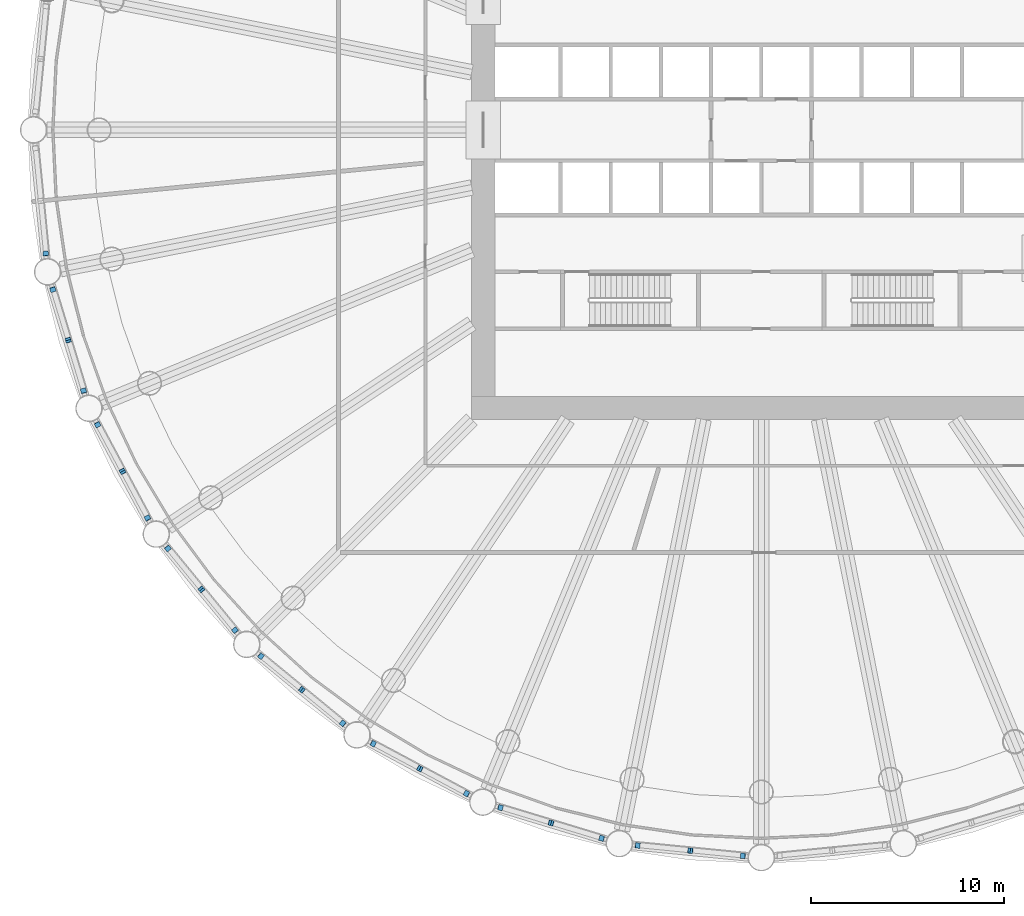
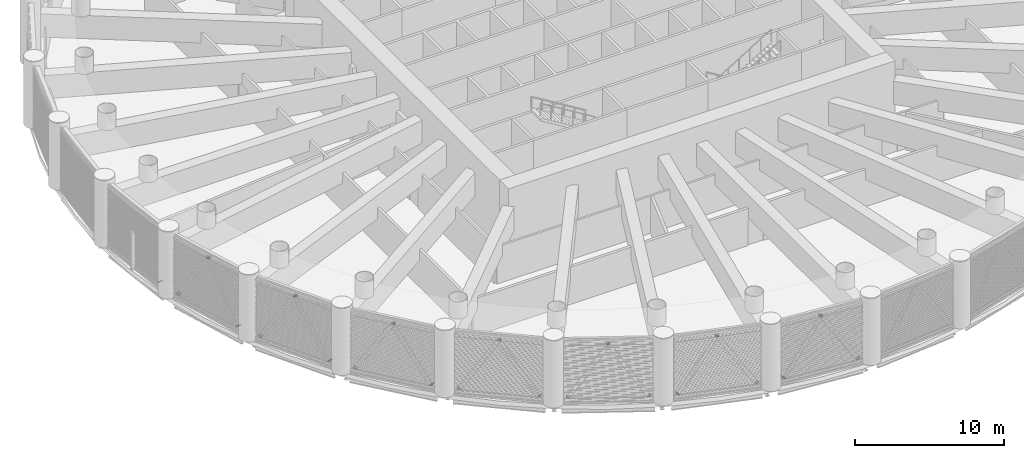
# One storey, part 12 of 26: 29 discrete accessories.
"""IFC4 building model written with IfcOpenShell, lengths in metres."""

from ifc_helpers import new_model, si_unit, direction, frame, origin, origin_2d, place, context, subcontext, project, spatial, rectangle, extrude, material, material_profile, profile_set, type_object, element, save


model = new_model("IFC4")

# Units and contexts
model_context = context("Model", 3, precision=1e-05, world=origin(), true_north=direction((0.0, 1.0)))
body_context = subcontext(model_context, "Body", "Model", "MODEL_VIEW")
ifc_project = project(units=[si_unit("LENGTHUNIT", "METRE"), si_unit("AREAUNIT", "SQUARE_METRE"), si_unit("VOLUMEUNIT", "CUBIC_METRE"), si_unit("PLANEANGLEUNIT", "RADIAN"), si_unit("MASSUNIT", "GRAM", prefix="KILO")], contexts=[model_context])

# Site, building, storey
site_placement = place(None, origin())
site = spatial("IfcSite", under=ifc_project, at=site_placement, CompositionType="ELEMENT")
building_placement = place(site_placement, origin())
building = spatial("IfcBuilding", under=site, at=building_placement, Name="Corvane Civic Tower", CompositionType="ELEMENT")
storey_placement = place(building_placement, frame((0.0, 0.0, 85.0)))
storey = spatial("IfcBuildingStorey", under=building, at=storey_placement, Name="L19", CompositionType="ELEMENT", Elevation=85.0)

# Discrete accessories
ifc_material = material(Name="Steel ASTM A572 Gr 50", Category="steel")
ifc_material_profile = material_profile(ifc_material, rectangle(XDim=0.2802734375, YDim=0.2802734375, at=origin_2d()), Name="GUSSET PLATE 25 IN HSS12X12X1/2")
ifc_profile_set = profile_set([ifc_material_profile], Name="Steel ASTM A572 Gr 50")
discrete_accessory_type = type_object("IfcDiscreteAccessoryType", Name="GUSSET PLATE 25 IN HSS12X12X1/2", PredefinedType="BRACKET", material=ifc_profile_set)
discrete_accessory_1_placement = place(storey_placement, frame((-0.9453125, -37.60693359375, 0.406494140625), z_axis=(-0.537847476703, 0.058674270186, 0.840997872662), x_axis=(-0.108447510175, -0.994102176608, 0.0)))
element("IfcDiscreteAccessory", 1, at=discrete_accessory_1_placement, inside=storey, type_object=discrete_accessory_type, Name="Gusset plate BD1 end A", PredefinedType="BRACKET", context=body_context, shape_type="SweptSolid", body=[
    extrude(rectangle(XDim=0.2802734375, YDim=0.2802734375, at=origin_2d()), origin(), (0.0, 0.0, 1.0), 0.02490234375),
])
discrete_accessory_2_placement = place(storey_placement, frame((-3.677490234375, -37.337890625, 4.74365234375), z_axis=(0.533729096341, -0.04852082694, -0.844262388758), x_axis=(0.090535746043, 0.995893206468, 0.0)))
element("IfcDiscreteAccessory", 2, at=discrete_accessory_2_placement, inside=storey, type_object=discrete_accessory_type, Name="Gusset plate BD1 end B", PredefinedType="BRACKET", context=body_context, shape_type="SweptSolid", body=[
    extrude(rectangle(XDim=0.2802734375, YDim=0.2802734375, at=origin_2d()), origin(), (0.0, 0.0, 1.0), 0.025146484375),
])
discrete_accessory_3_placement = place(storey_placement, frame((-6.40966796875, -37.068603515625, 0.406494140625), z_axis=(0.537847476703, -0.058674270186, 0.840997872662), x_axis=(0.108447510175, 0.994102176608, 0.0)))
element("IfcDiscreteAccessory", 3, at=discrete_accessory_3_placement, inside=storey, type_object=discrete_accessory_type, Name="Gusset plate BD1 end A", PredefinedType="BRACKET", context=body_context, shape_type="SweptSolid", body=[
    extrude(rectangle(XDim=0.2802734375, YDim=0.2802734375, at=origin_2d()), origin(), (0.0, 0.0, 1.0), 0.02490234375),
])
discrete_accessory_4_placement = place(storey_placement, frame((-3.677490234375, -37.337890625, 4.74365234375), z_axis=(-0.533452871521, 0.058194858711, -0.843825451314), x_axis=(-0.108447510175, -0.994102176608, 0.0)))
element("IfcDiscreteAccessory", 4, at=discrete_accessory_4_placement, inside=storey, type_object=discrete_accessory_type, Name="Gusset plate BD1 end B", PredefinedType="BRACKET", context=body_context, shape_type="SweptSolid", body=[
    extrude(rectangle(XDim=0.2802734375, YDim=0.2802734375, at=origin_2d()), origin(), (0.0, 0.0, 1.0), 0.025146484375),
])
discrete_accessory_5_placement = place(storey_placement, frame((-8.26416015625, -36.699951171875, 0.406494140625), z_axis=(-0.510984024818, 0.15722585379, 0.845088964122), x_axis=(-0.294085848838, -0.955779008722, 0.0)))
element("IfcDiscreteAccessory", 5, at=discrete_accessory_5_placement, inside=storey, type_object=discrete_accessory_type, Name="Gusset plate BD1 end A", PredefinedType="BRACKET", context=body_context, shape_type="SweptSolid", body=[
    extrude(rectangle(XDim=0.2802734375, YDim=0.2802734375, at=origin_2d()), origin(), (0.0, 0.0, 1.0), 0.02490234375),
])
discrete_accessory_6_placement = place(storey_placement, frame((-10.89111328125, -35.90283203125, 4.74365234375), z_axis=(0.50676869704, -0.155928829858, -0.847863012355), x_axis=(0.294085848838, 0.955779008722, 0.0)))
element("IfcDiscreteAccessory", 6, at=discrete_accessory_6_placement, inside=storey, type_object=discrete_accessory_type, Name="Gusset plate BD1 end B", PredefinedType="BRACKET", context=body_context, shape_type="SweptSolid", body=[
    extrude(rectangle(XDim=0.2802734375, YDim=0.2802734375, at=origin_2d()), origin(), (0.0, 0.0, 1.0), 0.025146484375),
])
for number, where, z_axis, x_axis, name in (
    (7, (-13.51806640625, -35.106201171875, 0.406494140625), (0.511750544557, -0.147620349392, 0.846356669845), (0.277160651302, 0.960823591181, 0.0), "Gusset plate BD1 end A"),
    (8, (-10.89111328125, -35.90283203125, 4.74365234375), (-0.507516375128, 0.146398954364, -0.84911393531), (-0.277160651302, -0.960823591181, 0.0), "Gusset plate BD1 end B"),
    (9, (-15.26513671875, -34.382568359375, 0.406494140625), (-0.471222756944, 0.255245660011, 0.844274106191), (-0.476283148541, -0.879291966537, 0.0), "Gusset plate BD1 end A"),
):
    element("IfcDiscreteAccessory", number, at=place(storey_placement, frame(where, z_axis=z_axis, x_axis=x_axis)), inside=storey, type_object=discrete_accessory_type, Name=name, PredefinedType="BRACKET", context=body_context, shape_type="SweptSolid", body=[
        extrude(rectangle(XDim=0.2802734375, YDim=0.2802734375, at=origin_2d()), origin(), (0.0, 0.0, 1.0), 0.02490234375),
    ])
discrete_accessory_7_placement = place(storey_placement, frame((-17.686279296875, -33.08837890625, 4.74365234375), z_axis=(0.474900743063, -0.25198814938, -0.843191115234), x_axis=(0.468715806899, 0.883349020695, 0.0)))
element("IfcDiscreteAccessory", 10, at=discrete_accessory_7_placement, inside=storey, type_object=discrete_accessory_type, Name="Gusset plate BD1 end B", PredefinedType="BRACKET", context=body_context, shape_type="SweptSolid", body=[
    extrude(rectangle(XDim=0.2802734375, YDim=0.2802734375, at=origin_2d()), origin(), (0.0, 0.0, 1.0), 0.025146484375),
])
discrete_accessory_8_placement = place(storey_placement, frame((-20.107177734375, -31.794189453125, 0.406494140625), z_axis=(0.471222756944, -0.255245660011, 0.844274106191), x_axis=(0.476283148541, 0.879291966537, 0.0)))
element("IfcDiscreteAccessory", 11, at=discrete_accessory_8_placement, inside=storey, type_object=discrete_accessory_type, Name="Gusset plate BD1 end A", PredefinedType="BRACKET", context=body_context, shape_type="SweptSolid", body=[
    extrude(rectangle(XDim=0.2802734375, YDim=0.2802734375, at=origin_2d()), origin(), (0.0, 0.0, 1.0), 0.02490234375),
])
discrete_accessory_9_placement = place(storey_placement, frame((-17.686279296875, -33.08837890625, 4.74365234375), z_axis=(-0.467342837645, 0.253144037058, -0.847058893232), x_axis=(-0.476283148541, -0.879291966537, 0.0)))
element("IfcDiscreteAccessory", 12, at=discrete_accessory_9_placement, inside=storey, type_object=discrete_accessory_type, Name="Gusset plate BD1 end B", PredefinedType="BRACKET", context=body_context, shape_type="SweptSolid", body=[
    extrude(rectangle(XDim=0.2802734375, YDim=0.2802734375, at=origin_2d()), origin(), (0.0, 0.0, 1.0), 0.025146484375),
])
discrete_accessory_10_placement = place(storey_placement, frame((-21.679443359375, -30.74365234375, 0.406494140625), z_axis=(-0.413517243021, 0.334752053874, 0.846725783328), x_axis=(-0.629198228668, -0.777244870707, 0.0)))
element("IfcDiscreteAccessory", 13, at=discrete_accessory_10_placement, inside=storey, type_object=discrete_accessory_type, Name="Gusset plate BD1 end A", PredefinedType="BRACKET", context=body_context, shape_type="SweptSolid", body=[
    extrude(rectangle(XDim=0.2802734375, YDim=0.2802734375, at=origin_2d()), origin(), (0.0, 0.0, 1.0), 0.02490234375),
])
discrete_accessory_11_placement = place(storey_placement, frame((-23.801513671875, -29.002197265625, 4.74365234375), z_axis=(0.408750654966, -0.340625545805, -0.846697785287), x_axis=(0.640184399664, 0.768221279597, 0.0)))
element("IfcDiscreteAccessory", 14, at=discrete_accessory_11_placement, inside=storey, type_object=discrete_accessory_type, Name="Gusset plate BD1 end B", PredefinedType="BRACKET", context=body_context, shape_type="SweptSolid", body=[
    extrude(rectangle(XDim=0.2802734375, YDim=0.2802734375, at=origin_2d()), origin(), (0.0, 0.0, 1.0), 0.025146484375),
])
discrete_accessory_12_placement = place(storey_placement, frame((-25.923583984375, -27.2607421875, 0.406494140625), z_axis=(0.413517243021, -0.334752053874, 0.846725783328), x_axis=(0.629198228668, 0.777244870707, 0.0)))
element("IfcDiscreteAccessory", 15, at=discrete_accessory_12_placement, inside=storey, type_object=discrete_accessory_type, Name="Gusset plate BD1 end A", PredefinedType="BRACKET", context=body_context, shape_type="SweptSolid", body=[
    extrude(rectangle(XDim=0.2802734375, YDim=0.2802734375, at=origin_2d()), origin(), (0.0, 0.0, 1.0), 0.02490234375),
])
discrete_accessory_13_placement = place(storey_placement, frame((-23.801513671875, -29.002197265625, 4.74365234375), z_axis=(-0.408750654966, 0.340625545805, -0.846697785287), x_axis=(-0.640184399664, -0.768221279597, 0.0)))
element("IfcDiscreteAccessory", 16, at=discrete_accessory_13_placement, inside=storey, type_object=discrete_accessory_type, Name="Gusset plate BD1 end B", PredefinedType="BRACKET", context=body_context, shape_type="SweptSolid", body=[
    extrude(rectangle(XDim=0.2802734375, YDim=0.2802734375, at=origin_2d()), origin(), (0.0, 0.0, 1.0), 0.025146484375),
])
discrete_accessory_14_placement = place(storey_placement, frame((-27.2607421875, -25.923583984375, 0.406494140625), z_axis=(-0.334752053874, 0.413517243021, 0.846725783328), x_axis=(-0.777244870707, -0.629198228668, 0.0)))
element("IfcDiscreteAccessory", 17, at=discrete_accessory_14_placement, inside=storey, type_object=discrete_accessory_type, Name="Gusset plate BD1 end A", PredefinedType="BRACKET", context=body_context, shape_type="SweptSolid", body=[
    extrude(rectangle(XDim=0.2802734375, YDim=0.2802734375, at=origin_2d()), origin(), (0.0, 0.0, 1.0), 0.02490234375),
])
discrete_accessory_15_placement = place(storey_placement, frame((-29.002197265625, -23.801513671875, 4.74365234375), z_axis=(0.340625545805, -0.408750654966, -0.846697785287), x_axis=(0.768221279597, 0.640184399664, 0.0)))
element("IfcDiscreteAccessory", 18, at=discrete_accessory_15_placement, inside=storey, type_object=discrete_accessory_type, Name="Gusset plate BD1 end B", PredefinedType="BRACKET", context=body_context, shape_type="SweptSolid", body=[
    extrude(rectangle(XDim=0.2802734375, YDim=0.2802734375, at=origin_2d()), origin(), (0.0, 0.0, 1.0), 0.025146484375),
])
discrete_accessory_16_placement = place(storey_placement, frame((-30.74365234375, -21.679443359375, 0.406494140625), z_axis=(0.334752053874, -0.413517243021, 0.846725783328), x_axis=(0.777244870707, 0.629198228668, 0.0)))
element("IfcDiscreteAccessory", 19, at=discrete_accessory_16_placement, inside=storey, type_object=discrete_accessory_type, Name="Gusset plate BD1 end A", PredefinedType="BRACKET", context=body_context, shape_type="SweptSolid", body=[
    extrude(rectangle(XDim=0.2802734375, YDim=0.2802734375, at=origin_2d()), origin(), (0.0, 0.0, 1.0), 0.02490234375),
])
discrete_accessory_17_placement = place(storey_placement, frame((-29.002197265625, -23.801513671875, 4.74365234375), z_axis=(-0.340625545805, 0.408750654966, -0.846697785287), x_axis=(-0.768221279597, -0.640184399664, 0.0)))
element("IfcDiscreteAccessory", 20, at=discrete_accessory_17_placement, inside=storey, type_object=discrete_accessory_type, Name="Gusset plate BD1 end B", PredefinedType="BRACKET", context=body_context, shape_type="SweptSolid", body=[
    extrude(rectangle(XDim=0.2802734375, YDim=0.2802734375, at=origin_2d()), origin(), (0.0, 0.0, 1.0), 0.025146484375),
])
discrete_accessory_18_placement = place(storey_placement, frame((-31.794189453125, -20.107177734375, 0.406494140625), z_axis=(-0.255245660011, 0.471222756944, 0.844274106191), x_axis=(-0.879291966537, -0.476283148541, 0.0)))
element("IfcDiscreteAccessory", 21, at=discrete_accessory_18_placement, inside=storey, type_object=discrete_accessory_type, Name="Gusset plate BD1 end A", PredefinedType="BRACKET", context=body_context, shape_type="SweptSolid", body=[
    extrude(rectangle(XDim=0.2802734375, YDim=0.2802734375, at=origin_2d()), origin(), (0.0, 0.0, 1.0), 0.02490234375),
])
discrete_accessory_19_placement = place(storey_placement, frame((-33.08837890625, -17.686279296875, 4.74365234375), z_axis=(0.253144037058, -0.467342837645, -0.847058893232), x_axis=(0.879291966537, 0.476283148541, 0.0)))
element("IfcDiscreteAccessory", 22, at=discrete_accessory_19_placement, inside=storey, type_object=discrete_accessory_type, Name="Gusset plate BD1 end B", PredefinedType="BRACKET", context=body_context, shape_type="SweptSolid", body=[
    extrude(rectangle(XDim=0.2802734375, YDim=0.2802734375, at=origin_2d()), origin(), (0.0, 0.0, 1.0), 0.025146484375),
])
discrete_accessory_20_placement = place(storey_placement, frame((-34.382568359375, -15.26513671875, 0.406494140625), z_axis=(0.255245660011, -0.471222756944, 0.844274106191), x_axis=(0.879291966537, 0.476283148541, 0.0)))
element("IfcDiscreteAccessory", 23, at=discrete_accessory_20_placement, inside=storey, type_object=discrete_accessory_type, Name="Gusset plate BD1 end A", PredefinedType="BRACKET", context=body_context, shape_type="SweptSolid", body=[
    extrude(rectangle(XDim=0.2802734375, YDim=0.2802734375, at=origin_2d()), origin(), (0.0, 0.0, 1.0), 0.02490234375),
])
discrete_accessory_21_placement = place(storey_placement, frame((-33.08837890625, -17.686279296875, 4.74365234375), z_axis=(-0.25198814938, 0.474900743063, -0.843191115234), x_axis=(-0.883349020695, -0.468715806899, 0.0)))
element("IfcDiscreteAccessory", 24, at=discrete_accessory_21_placement, inside=storey, type_object=discrete_accessory_type, Name="Gusset plate BD1 end B", PredefinedType="BRACKET", context=body_context, shape_type="SweptSolid", body=[
    extrude(rectangle(XDim=0.2802734375, YDim=0.2802734375, at=origin_2d()), origin(), (0.0, 0.0, 1.0), 0.025146484375),
])
for number, where, z_axis, x_axis, name in (
    (25, (-35.106201171875, -13.51806640625, 0.406494140625), (-0.147620349392, 0.511750544557, 0.846356669845), (-0.960823591181, -0.277160651302, 0.0), "Gusset plate BD1 end A"),
    (26, (-35.90283203125, -10.89111328125, 4.74365234375), (0.146398954364, -0.507516375128, -0.84911393531), (0.960823591181, 0.277160651302, 0.0), "Gusset plate BD1 end B"),
    (27, (-36.699951171875, -8.26416015625, 0.406494140625), (0.15722585379, -0.510984024818, 0.845088964122), (0.955779008722, 0.294085848838, 0.0), "Gusset plate BD1 end A"),
):
    element("IfcDiscreteAccessory", number, at=place(storey_placement, frame(where, z_axis=z_axis, x_axis=x_axis)), inside=storey, type_object=discrete_accessory_type, Name=name, PredefinedType="BRACKET", context=body_context, shape_type="SweptSolid", body=[
        extrude(rectangle(XDim=0.2802734375, YDim=0.2802734375, at=origin_2d()), origin(), (0.0, 0.0, 1.0), 0.02490234375),
    ])
discrete_accessory_22_placement = place(storey_placement, frame((-35.90283203125, -10.89111328125, 4.74365234375), z_axis=(-0.155928829858, 0.50676869704, -0.847863012355), x_axis=(-0.955779008722, -0.294085848838, 0.0)))
element("IfcDiscreteAccessory", 28, at=discrete_accessory_22_placement, inside=storey, type_object=discrete_accessory_type, Name="Gusset plate BD1 end B", PredefinedType="BRACKET", context=body_context, shape_type="SweptSolid", body=[
    extrude(rectangle(XDim=0.2802734375, YDim=0.2802734375, at=origin_2d()), origin(), (0.0, 0.0, 1.0), 0.025146484375),
])
discrete_accessory_23_placement = place(storey_placement, frame((-37.068603515625, -6.40966796875, 0.406494140625), z_axis=(-0.058674270186, 0.537847476703, 0.840997872662), x_axis=(-0.994102176608, -0.108447510175, 0.0)))
element("IfcDiscreteAccessory", 29, at=discrete_accessory_23_placement, inside=storey, type_object=discrete_accessory_type, Name="Gusset plate BD1 end A", PredefinedType="BRACKET", context=body_context, shape_type="SweptSolid", body=[
    extrude(rectangle(XDim=0.2802734375, YDim=0.2802734375, at=origin_2d()), origin(), (0.0, 0.0, 1.0), 0.02490234375),
])

save(model, "model.ifc")
